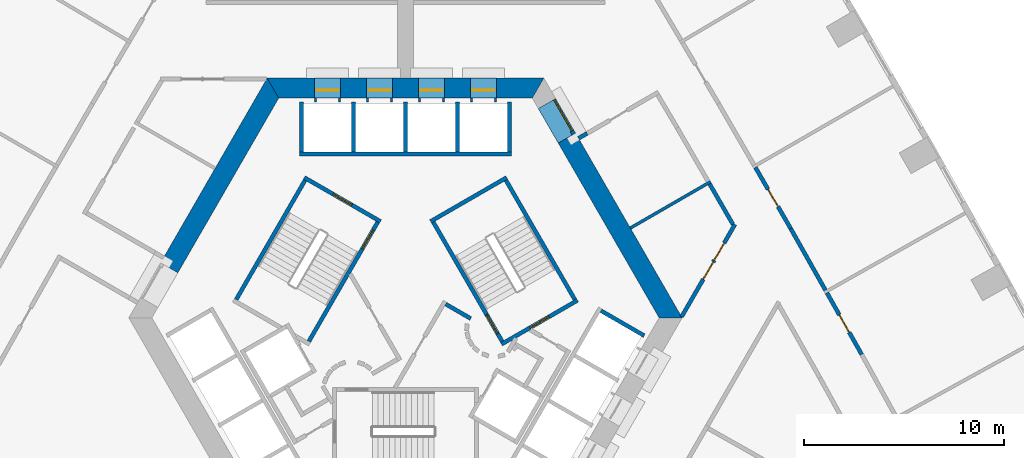
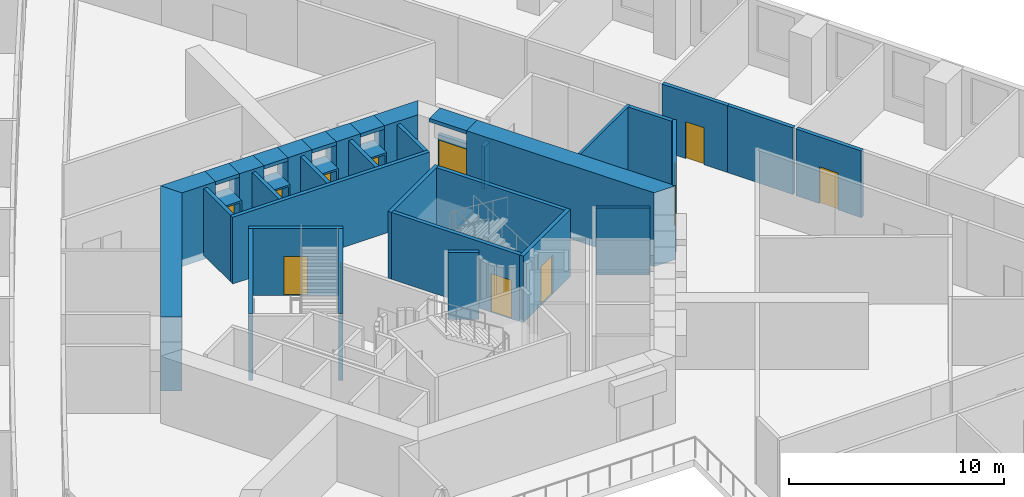
# One storey, part 9 of 15: 39 walls, 13 doors, 13 openings.
"""IFC4 building model written with IfcOpenShell, lengths in metres."""

from ifc_helpers import new_model, si_unit, direction, frame, frame_2d, origin, place, context, subcontext, project, spatial, polyline, rectangle, outline, extrude, material, layer, layer_set, type_object, element, fill, save


model = new_model("IFC4")

# Units and contexts
model_context = context("Model", 3, precision=1e-05, world=origin(), true_north=direction((0.0, 1.0)))
body_context = subcontext(model_context, "Body", "Model", "MODEL_VIEW")
ifc_project = project(units=[si_unit("LENGTHUNIT", "METRE"), si_unit("AREAUNIT", "SQUARE_METRE"), si_unit("VOLUMEUNIT", "CUBIC_METRE"), si_unit("PLANEANGLEUNIT", "RADIAN"), si_unit("MASSUNIT", "GRAM", prefix="KILO")], contexts=[model_context])

# Site, building, storey
site_placement = place(None, origin())
site = spatial("IfcSite", under=ifc_project, at=site_placement, CompositionType="ELEMENT")
building_placement = place(site_placement, origin())
building = spatial("IfcBuilding", under=site, at=building_placement, Name="Entoto Arch Interchange Tower", CompositionType="ELEMENT")
storey_placement = place(building_placement, frame((0.0, 0.0, 39.199951171875)))
storey = spatial("IfcBuildingStorey", under=building, at=storey_placement, Name="L07", CompositionType="ELEMENT", Elevation=39.199951171875)

# Wall, opening, door
ifc_material_1 = material(Name="Reinforced concrete C40/50", Category="concrete")
ifc_layer_1 = layer(ifc_material_1, 0.199951171875)
ifc_layer_set_1 = layer_set([ifc_layer_1], Name="Reinforced concrete C40/50")
wall_type_1 = type_object("IfcWallType", Name="CORE GAP INFILL WALL", PredefinedType="PARTITIONING", material=ifc_layer_set_1)
wall_1_placement = place(storey_placement, frame((8.429931640625, 11.697998046875, 0.0), z_axis=(0.0, 0.0, 1.0), x_axis=(-0.50002537861, 0.866010750942, 0.0)))
wall_1 = element("IfcWall", 1, at=wall_1_placement, inside=storey, type_object=wall_type_1, Name="wall:L07:gap2", PredefinedType="PARTITIONING", context=body_context, shape_type="SweptSolid", body=[
    extrude(rectangle(XDim=2.0, YDim=0.199951171875, at=frame_2d((1.0, 0.0))), origin(), (0.0, 0.0, 1.0), 2.400146484375),
])
opening_1_placement = place(wall_1_placement, frame((0.18994140625, 0.0, 0.0)))
opening_1 = element("IfcOpeningElement", 2, at=opening_1_placement, cuts=wall_1, Name="Opening L07-D92", PredefinedType="OPENING", context=body_context, shape_type="SweptSolid", body=[
    extrude(rectangle(XDim=1.800048828125, YDim=2.10009765625, at=frame_2d((0.89990234375, 1.050048828125))), frame((0.0, 0.10986328125, 0.0), z_axis=(0.0, -1.0, 0.0), x_axis=(1.0, 0.0, 0.0)), (0.0, 0.0, 1.0), 0.219970703125),
])
ifc_material_2 = material(Name="Fire-rated Steel S235 door and frame", Category="steel")
door_type_1 = type_object("IfcDoorType", Name="DOOR FD-18 1800x2100", OperationType="DOUBLE_DOOR_SINGLE_SWING", PredefinedType="DOOR", material=ifc_material_2)
door_1_placement = place(opening_1_placement, origin())
door_1 = element("IfcDoor", 3, at=door_1_placement, inside=storey, type_object=door_type_1, Name="door:L07:gap2", OperationType="DOUBLE_DOOR_SINGLE_SWING", OverallHeight=2.10009765625, OverallWidth=1.800048828125, PredefinedType="DOOR", context=body_context, shape_type="SweptSolid", body=[
    extrude(rectangle(XDim=1.800048828125, YDim=2.10009765625, at=frame_2d((0.89990234375, 1.050048828125))), frame((0.0, 0.02490234375, 0.0), z_axis=(0.0, -1.0, 0.0), x_axis=(1.0, 0.0, 0.0)), (0.0, 0.0, 1.0), 0.050048828125),
])
fill(opening_1, door_1)

# Walls
ifc_material_3 = material(Name="Concrete C60/75", Category="concrete")
ifc_layer_2 = layer(ifc_material_3, 1.0)
ifc_layer_set_2 = layer_set([ifc_layer_2], Name="Concrete C60/75")
wall_type_2 = type_object("IfcWallType", Name="Core wall 1000 C60/75", PredefinedType="SHEAR", material=ifc_layer_set_2)
wall_2_placement = place(storey_placement, frame((0.0, 0.0, -0.39990234375)))
element("IfcWall", 4, at=wall_2_placement, inside=storey, type_object=wall_type_2, Name="Core wall NE L07", PredefinedType="SHEAR", context=body_context, shape_type="SweptSolid", body=[
    extrude(outline(polyline([(8.51708984375, 11.748046875), (7.65087890625, 11.248046875), (12.701904296875, 2.5), (13.85595703125, 2.5), (8.51708984375, 11.748046875)])), origin(), (0.0, 0.0, 1.0), 4.199951171875),
])
wall_3_placement = place(storey_placement, frame((0.0, 0.0, 3.60009765625)))
element("IfcWall", 5, at=wall_3_placement, inside=storey, type_object=wall_type_2, Name="Core wall lintel NE L07", PredefinedType="SHEAR", context=body_context, shape_type="SweptSolid", body=[
    extrude(outline(polyline([(7.51708984375, 13.47998046875), (6.65087890625, 12.97998046875), (7.65087890625, 11.248046875), (8.51708984375, 11.748046875), (7.51708984375, 13.47998046875)])), origin(), (0.0, 0.0, 1.0), 0.199951171875),
])
wall_4_placement = place(storey_placement, frame((0.0, 0.0, -0.39990234375)))
element("IfcWall", 6, at=wall_4_placement, inside=storey, type_object=wall_type_2, Name="Core wall N L07", PredefinedType="SHEAR", context=body_context, shape_type="SweptSolid", body=[
    extrude(outline(polyline([(4.550048828125, 14.5), (4.550048828125, 13.5), (6.35107421875, 13.5), (6.927978515625, 14.5), (4.550048828125, 14.5)])), origin(), (0.0, 0.0, 1.0), 4.199951171875),
])
wall_5_placement = place(storey_placement, frame((0.0, 0.0, -0.39990234375)))
element("IfcWall", 7, at=wall_5_placement, inside=storey, type_object=wall_type_2, Name="Core wall N L07", PredefinedType="SHEAR", context=body_context, shape_type="SweptSolid", body=[
    extrude(outline(polyline([(1.949951171875, 14.5), (1.949951171875, 13.5), (3.25, 13.5), (3.25, 14.5), (1.949951171875, 14.5)])), origin(), (0.0, 0.0, 1.0), 4.199951171875),
])
wall_6_placement = place(storey_placement, frame((0.0, 0.0, -0.39990234375)))
element("IfcWall", 8, at=wall_6_placement, inside=storey, type_object=wall_type_2, Name="Core wall N L07", PredefinedType="SHEAR", context=body_context, shape_type="SweptSolid", body=[
    extrude(outline(polyline([(-0.64990234375, 14.5), (-0.64990234375, 13.5), (0.64990234375, 13.5), (0.64990234375, 14.5), (-0.64990234375, 14.5)])), origin(), (0.0, 0.0, 1.0), 4.199951171875),
])
wall_7_placement = place(storey_placement, frame((0.0, 0.0, -0.39990234375)))
element("IfcWall", 9, at=wall_7_placement, inside=storey, type_object=wall_type_2, Name="Core wall N L07", PredefinedType="SHEAR", context=body_context, shape_type="SweptSolid", body=[
    extrude(outline(polyline([(-3.25, 14.5), (-3.25, 13.5), (-1.949951171875, 13.5), (-1.949951171875, 14.5), (-3.25, 14.5)])), origin(), (0.0, 0.0, 1.0), 4.199951171875),
])
wall_8_placement = place(storey_placement, frame((0.0, 0.0, -0.39990234375)))
element("IfcWall", 10, at=wall_8_placement, inside=storey, type_object=wall_type_2, Name="Core wall N L07", PredefinedType="SHEAR", context=body_context, shape_type="SweptSolid", body=[
    extrude(outline(polyline([(-4.550048828125, 13.5), (-4.550048828125, 14.5), (-6.927978515625, 14.5), (-6.35107421875, 13.5), (-4.550048828125, 13.5)])), origin(), (0.0, 0.0, 1.0), 4.199951171875),
])
wall_9_placement = place(storey_placement, frame((0.0, 0.0, 3.60009765625)))
element("IfcWall", 11, at=wall_9_placement, inside=storey, type_object=wall_type_2, Name="Core wall lintel N L07", PredefinedType="SHEAR", context=body_context, shape_type="SweptSolid", body=[
    extrude(outline(polyline([(3.25, 14.5), (3.25, 13.5), (4.550048828125, 13.5), (4.550048828125, 14.5), (3.25, 14.5)])), origin(), (0.0, 0.0, 1.0), 0.199951171875),
])
wall_10_placement = place(storey_placement, frame((0.0, 0.0, 3.60009765625)))
element("IfcWall", 12, at=wall_10_placement, inside=storey, type_object=wall_type_2, Name="Core wall lintel N L07", PredefinedType="SHEAR", context=body_context, shape_type="SweptSolid", body=[
    extrude(outline(polyline([(0.64990234375, 14.5), (0.64990234375, 13.5), (1.949951171875, 13.5), (1.949951171875, 14.5), (0.64990234375, 14.5)])), origin(), (0.0, 0.0, 1.0), 0.199951171875),
])
wall_11_placement = place(storey_placement, frame((0.0, 0.0, 3.60009765625)))
element("IfcWall", 13, at=wall_11_placement, inside=storey, type_object=wall_type_2, Name="Core wall lintel N L07", PredefinedType="SHEAR", context=body_context, shape_type="SweptSolid", body=[
    extrude(outline(polyline([(-1.949951171875, 14.5), (-1.949951171875, 13.5), (-0.64990234375, 13.5), (-0.64990234375, 14.5), (-1.949951171875, 14.5)])), origin(), (0.0, 0.0, 1.0), 0.199951171875),
])
wall_12_placement = place(storey_placement, frame((0.0, 0.0, 3.60009765625)))
element("IfcWall", 14, at=wall_12_placement, inside=storey, type_object=wall_type_2, Name="Core wall lintel N L07", PredefinedType="SHEAR", context=body_context, shape_type="SweptSolid", body=[
    extrude(outline(polyline([(-4.550048828125, 14.5), (-4.550048828125, 13.5), (-3.25, 13.5), (-3.25, 14.5), (-4.550048828125, 14.5)])), origin(), (0.0, 0.0, 1.0), 0.199951171875),
])
wall_13_placement = place(storey_placement, frame((0.0, 0.0, -0.39990234375)))
element("IfcWall", 15, at=wall_13_placement, inside=storey, type_object=wall_type_2, Name="Core wall NW L07", PredefinedType="SHEAR", context=body_context, shape_type="SweptSolid", body=[
    extrude(outline(polyline([(-12.26708984375, 5.251953125), (-11.402099609375, 4.751953125), (-6.35107421875, 13.5), (-6.927978515625, 14.5), (-12.26708984375, 5.251953125)])), origin(), (0.0, 0.0, 1.0), 4.199951171875),
])

# Wall, opening, door
ifc_material_4 = material(Name="Concrete C40/50", Category="concrete")
ifc_layer_3 = layer(ifc_material_4, 1.199951171875)
ifc_layer_set_3 = layer_set([ifc_layer_3], Name="Concrete C40/50")
wall_type_3 = type_object("IfcWallType", Name="LIFT LANDING INFILL WALL", PredefinedType="STANDARD", material=ifc_layer_set_3)
wall_14_placement = place(storey_placement, frame((4.550048828125, 13.89990234375, 0.0), z_axis=(0.0, 0.0, 1.0), x_axis=(-1.0, 0.0, 0.0)))
wall_14 = element("IfcWall", 16, at=wall_14_placement, inside=storey, type_object=wall_type_3, Name="Lift landing infill wall LR1 L07", PredefinedType="STANDARD", context=body_context, shape_type="SweptSolid", body=[
    extrude(rectangle(XDim=1.300048828125, YDim=1.199951171875, at=frame_2d((0.64990234375, 0.0))), origin(), (0.0, 0.0, 1.0), 2.400146484375),
])
opening_2_placement = place(wall_14_placement, frame((0.10009765625, 0.0, 0.0)))
opening_2 = element("IfcOpeningElement", 17, at=opening_2_placement, cuts=wall_14, Name="Opening LD-LR1-L07", PredefinedType="OPENING", context=body_context, shape_type="SweptSolid", body=[
    extrude(rectangle(XDim=1.10009765625, YDim=2.300048828125, at=frame_2d((0.550048828125, 1.14990234375))), frame((0.0, 0.60986328125, 0.0), z_axis=(0.0, -1.0, 0.0), x_axis=(1.0, 0.0, 0.0)), (0.0, 0.0, 1.0), 1.219970703125),
])
ifc_material_5 = material(Name="Stainless steel 1.4301 panels", Category="steel")
door_type_2 = type_object("IfcDoorType", Name="LIFT LANDING DOOR LD2 1100x2300", OperationType="SLIDING_TO_LEFT", PredefinedType="DOOR", material=ifc_material_5)
door_2_placement = place(opening_2_placement, origin())
door_2 = element("IfcDoor", 18, at=door_2_placement, inside=storey, type_object=door_type_2, Name="Lift landing door LR1 L07", OperationType="SLIDING_TO_LEFT", OverallHeight=2.300048828125, OverallWidth=1.10009765625, PredefinedType="DOOR", context=body_context, shape_type="SweptSolid", body=[
    extrude(rectangle(XDim=1.10009765625, YDim=2.300048828125, at=frame_2d((0.550048828125, 1.14990234375))), frame((0.0, 0.02490234375, 0.0), z_axis=(0.0, -1.0, 0.0), x_axis=(1.0, 0.0, 0.0)), (0.0, 0.0, 1.0), 0.050048828125),
])
fill(opening_2, door_2)

wall_15_placement = place(storey_placement, frame((1.949951171875, 13.89990234375, 0.0), z_axis=(0.0, 0.0, 1.0), x_axis=(-1.0, 0.0, 0.0)))
wall_15 = element("IfcWall", 19, at=wall_15_placement, inside=storey, type_object=wall_type_3, Name="Lift landing infill wall LR2 L07", PredefinedType="STANDARD", context=body_context, shape_type="SweptSolid", body=[
    extrude(rectangle(XDim=1.300048828125, YDim=1.199951171875, at=frame_2d((0.64990234375, 0.0))), origin(), (0.0, 0.0, 1.0), 2.400146484375),
])
opening_3_placement = place(wall_15_placement, frame((0.10009765625, 0.0, 0.0)))
opening_3 = element("IfcOpeningElement", 20, at=opening_3_placement, cuts=wall_15, Name="Opening LD-LR2-L07", PredefinedType="OPENING", context=body_context, shape_type="SweptSolid", body=[
    extrude(rectangle(XDim=1.10009765625, YDim=2.300048828125, at=frame_2d((0.550048828125, 1.14990234375))), frame((0.0, 0.60986328125, 0.0), z_axis=(0.0, -1.0, 0.0), x_axis=(1.0, 0.0, 0.0)), (0.0, 0.0, 1.0), 1.219970703125),
])
door_3_placement = place(opening_3_placement, origin())
door_3 = element("IfcDoor", 21, at=door_3_placement, inside=storey, type_object=door_type_2, Name="Lift landing door LR2 L07", OperationType="SLIDING_TO_LEFT", OverallHeight=2.300048828125, OverallWidth=1.10009765625, PredefinedType="DOOR", context=body_context, shape_type="SweptSolid", body=[
    extrude(rectangle(XDim=1.10009765625, YDim=2.300048828125, at=frame_2d((0.550048828125, 1.14990234375))), frame((0.0, 0.02490234375, 0.0), z_axis=(0.0, -1.0, 0.0), x_axis=(1.0, 0.0, 0.0)), (0.0, 0.0, 1.0), 0.050048828125),
])
fill(opening_3, door_3)

wall_16_placement = place(storey_placement, frame((-0.64990234375, 13.89990234375, 0.0), z_axis=(0.0, 0.0, 1.0), x_axis=(-1.0, 0.0, 0.0)))
wall_16 = element("IfcWall", 22, at=wall_16_placement, inside=storey, type_object=wall_type_3, Name="Lift landing infill wall LR3 L07", PredefinedType="STANDARD", context=body_context, shape_type="SweptSolid", body=[
    extrude(rectangle(XDim=1.300048828125, YDim=1.199951171875, at=frame_2d((0.64990234375, 0.0))), origin(), (0.0, 0.0, 1.0), 2.400146484375),
])
opening_4_placement = place(wall_16_placement, frame((0.10009765625, 0.0, 0.0)))
opening_4 = element("IfcOpeningElement", 23, at=opening_4_placement, cuts=wall_16, Name="Opening LD-LR3-L07", PredefinedType="OPENING", context=body_context, shape_type="SweptSolid", body=[
    extrude(rectangle(XDim=1.10009765625, YDim=2.300048828125, at=frame_2d((0.550048828125, 1.14990234375))), frame((0.0, 0.60986328125, 0.0), z_axis=(0.0, -1.0, 0.0), x_axis=(1.0, 0.0, 0.0)), (0.0, 0.0, 1.0), 1.219970703125),
])
door_4_placement = place(opening_4_placement, origin())
door_4 = element("IfcDoor", 24, at=door_4_placement, inside=storey, type_object=door_type_2, Name="Lift landing door LR3 L07", OperationType="SLIDING_TO_LEFT", OverallHeight=2.300048828125, OverallWidth=1.10009765625, PredefinedType="DOOR", context=body_context, shape_type="SweptSolid", body=[
    extrude(rectangle(XDim=1.10009765625, YDim=2.300048828125, at=frame_2d((0.550048828125, 1.14990234375))), frame((0.0, 0.02490234375, 0.0), z_axis=(0.0, -1.0, 0.0), x_axis=(1.0, 0.0, 0.0)), (0.0, 0.0, 1.0), 0.050048828125),
])
fill(opening_4, door_4)

wall_17_placement = place(storey_placement, frame((-3.25, 13.89990234375, 0.0), z_axis=(0.0, 0.0, 1.0), x_axis=(-1.0, 0.0, 0.0)))
wall_17 = element("IfcWall", 25, at=wall_17_placement, inside=storey, type_object=wall_type_3, Name="Lift landing infill wall LR4 L07", PredefinedType="STANDARD", context=body_context, shape_type="SweptSolid", body=[
    extrude(rectangle(XDim=1.300048828125, YDim=1.199951171875, at=frame_2d((0.64990234375, 0.0))), origin(), (0.0, 0.0, 1.0), 2.400146484375),
])
opening_5_placement = place(wall_17_placement, frame((0.10009765625, 0.0, 0.0)))
opening_5 = element("IfcOpeningElement", 26, at=opening_5_placement, cuts=wall_17, Name="Opening LD-LR4-L07", PredefinedType="OPENING", context=body_context, shape_type="SweptSolid", body=[
    extrude(rectangle(XDim=1.10009765625, YDim=2.300048828125, at=frame_2d((0.550048828125, 1.14990234375))), frame((0.0, 0.60986328125, 0.0), z_axis=(0.0, -1.0, 0.0), x_axis=(1.0, 0.0, 0.0)), (0.0, 0.0, 1.0), 1.219970703125),
])
door_5_placement = place(opening_5_placement, origin())
door_5 = element("IfcDoor", 27, at=door_5_placement, inside=storey, type_object=door_type_2, Name="Lift landing door LR4 L07", OperationType="SLIDING_TO_LEFT", OverallHeight=2.300048828125, OverallWidth=1.10009765625, PredefinedType="DOOR", context=body_context, shape_type="SweptSolid", body=[
    extrude(rectangle(XDim=1.10009765625, YDim=2.300048828125, at=frame_2d((0.550048828125, 1.14990234375))), frame((0.0, 0.02490234375, 0.0), z_axis=(0.0, -1.0, 0.0), x_axis=(1.0, 0.0, 0.0)), (0.0, 0.0, 1.0), 0.050048828125),
])
fill(opening_5, door_5)

# Walls
ifc_layer_4 = layer(ifc_material_4, 0.199951171875)
ifc_layer_set_4 = layer_set([ifc_layer_4], Name="Concrete C40/50")
wall_type_4 = type_object("IfcWallType", Name="LIFT SHAFT WALL 200", PredefinedType="STANDARD", material=ifc_layer_set_4)
wall_18_placement = place(storey_placement, frame((5.300048828125, 10.699951171875, 0.0), z_axis=(0.0, 0.0, 1.0), x_axis=(-1.0, 0.0, 0.0)))
element("IfcWall", 28, at=wall_18_placement, inside=storey, type_object=wall_type_4, Name="Shaft wall N3 front", PredefinedType="STANDARD", context=body_context, shape_type="SweptSolid", body=[
    extrude(rectangle(XDim=10.60009765625, YDim=0.199951171875, at=frame_2d((5.300048828125, 0.0))), origin(), (0.0, 0.0, 1.0), 3.800048828125),
])
for number, where, z_axis, x_axis, name in (
    (29, (5.199951171875, 10.800048828125, 0.0), (0.0, 0.0, 1.0), (0.0, 1.0, 0.0), "Shaft wall N3 cross 1"),
    (30, (2.60009765625, 10.800048828125, 0.0), (0.0, 0.0, 1.0), (0.0, 1.0, 0.0), "Shaft wall N3 cross 2"),
    (31, (0.0, 10.800048828125, 0.0), (0.0, 0.0, 1.0), (0.0, 1.0, 0.0), "Shaft wall N3 cross 3"),
    (32, (-2.60009765625, 10.800048828125, 0.0), (0.0, 0.0, 1.0), (0.0, 1.0, 0.0), "Shaft wall N3 cross 4"),
    (33, (-5.199951171875, 10.800048828125, 0.0), (0.0, 0.0, 1.0), (0.0, 1.0, 0.0), "Shaft wall N3 cross 5"),
):
    element("IfcWall", number, at=place(storey_placement, frame(where, z_axis=z_axis, x_axis=x_axis)), inside=storey, type_object=wall_type_4, Name=name, PredefinedType="STANDARD", context=body_context, shape_type="SweptSolid", body=[
        extrude(rectangle(XDim=2.5, YDim=0.199951171875, at=frame_2d((1.25, 0.0))), origin(), (0.0, 0.0, 1.0), 3.800048828125),
    ])
wall_19_placement = place(storey_placement, frame((9.7880859375, 2.85302734375, 0.0), z_axis=(0.0, 0.0, 1.0), x_axis=(0.865998541277, -0.500046524342, 0.0)))
element("IfcWall", 34, at=wall_19_placement, inside=storey, type_object=wall_type_4, Name="Shaft wall SE3 cross 5", PredefinedType="STANDARD", context=body_context, shape_type="SweptSolid", body=[
    extrude(rectangle(XDim=2.499755859375, YDim=0.199951171875, at=frame_2d((1.25, 0.0))), origin(), (0.0, 0.0, 1.0), 3.800048828125),
])
ifc_material_6 = material(Name="Gypsum board partition on steel studs", Category="steel")
ifc_layer_5 = layer(ifc_material_6, 0.14990234375)
ifc_layer_set_5 = layer_set([ifc_layer_5], Name="Gypsum board partition on steel studs")
wall_type_5 = type_object("IfcWallType", Name="PARTITION 150", PredefinedType="PARTITIONING", material=ifc_layer_set_5)
wall_20_placement = place(storey_placement, frame((15.281005859375, 9.31494140625, 0.0), z_axis=(0.0, 0.0, 1.0), x_axis=(-0.86601742213, -0.500013824377, 0.0)))
element("IfcWall", 35, at=wall_20_placement, inside=storey, type_object=wall_type_5, Name="wall:L07:p086", PredefinedType="PARTITIONING", context=body_context, shape_type="SweptSolid", body=[
    extrude(rectangle(XDim=4.641845703125, YDim=0.14990234375, at=frame_2d((2.32080078125, 0.0))), origin(), (0.0, 0.0, 1.0), 3.800048828125),
])
ifc_layer_6 = layer(ifc_material_6, 0.199951171875)
ifc_layer_set_6 = layer_set([ifc_layer_6], Name="Gypsum board partition on steel studs")
wall_type_6 = type_object("IfcWallType", Name="PARTITION 200", PredefinedType="PARTITIONING", material=ifc_layer_set_6)
wall_21_placement = place(storey_placement, frame((16.39892578125, 7.177978515625, 0.0), z_axis=(0.0, 0.0, 1.0), x_axis=(-0.499873332494, 0.866098522953, 0.0)))
element("IfcWall", 36, at=wall_21_placement, inside=storey, type_object=wall_type_6, Name="wall:L07:p007", PredefinedType="PARTITIONING", context=body_context, shape_type="SweptSolid", body=[
    extrude(rectangle(XDim=2.33447265625, YDim=0.199951171875, at=frame_2d((1.167236328125, 0.0))), origin(), (0.0, 0.0, 1.0), 3.800048828125),
])

# Wall, opening, door
wall_22_placement = place(storey_placement, frame((21.10693359375, 3.7490234375, 0.0), z_axis=(0.0, 0.0, 1.0), x_axis=(0.491268894998, -0.871007963687, 0.0)))
wall_22 = element("IfcWall", 37, at=wall_22_placement, inside=storey, type_object=wall_type_6, Name="wall:L07:p043", PredefinedType="PARTITIONING", context=body_context, shape_type="SweptSolid", body=[
    extrude(rectangle(XDim=3.541748046875, YDim=0.199951171875, at=frame_2d((1.77099609375, 0.0))), origin(), (0.0, 0.0, 1.0), 3.800048828125),
])
opening_6_placement = place(wall_22_placement, frame((1.27099609375, 0.0, 0.0)))
opening_6 = element("IfcOpeningElement", 38, at=opening_6_placement, cuts=wall_22, Name="Opening L07-D05", PredefinedType="OPENING", context=body_context, shape_type="SweptSolid", body=[
    extrude(rectangle(XDim=1.0, YDim=2.10009765625, at=frame_2d((0.5, 1.050048828125))), frame((0.0, 0.10986328125, 0.0), z_axis=(0.0, -1.0, 0.0), x_axis=(1.0, 0.0, 0.0)), (0.0, 0.0, 1.0), 0.219970703125),
])
ifc_material_7 = material(Name="Timber door leaf in Steel S235 frame", Category="steel")
door_type_3 = type_object("IfcDoorType", Name="DOOR DS-10 1000x2100", OperationType="SINGLE_SWING_LEFT", PredefinedType="DOOR", material=ifc_material_7)
door_6_placement = place(opening_6_placement, origin())
door_6 = element("IfcDoor", 39, at=door_6_placement, inside=storey, type_object=door_type_3, Name="door:L07:05", OperationType="SINGLE_SWING_LEFT", OverallHeight=2.10009765625, OverallWidth=1.0, PredefinedType="DOOR", context=body_context, shape_type="SweptSolid", body=[
    extrude(rectangle(XDim=1.0, YDim=2.10009765625, at=frame_2d((0.5, 1.050048828125))), frame((0.0, 0.02490234375, 0.0), z_axis=(0.0, -1.0, 0.0), x_axis=(1.0, 0.0, 0.0)), (0.0, 0.0, 1.0), 0.050048828125),
])
fill(opening_6, door_6)

wall_23_placement = place(storey_placement, frame((17.52392578125, 10.031005859375, 0.0), z_axis=(0.0, 0.0, 1.0), x_axis=(0.499861717316, -0.86610522661, 0.0)))
wall_23 = element("IfcWall", 40, at=wall_23_placement, inside=storey, type_object=wall_type_6, Name="wall:L07:p045", PredefinedType="PARTITIONING", context=body_context, shape_type="SweptSolid", body=[
    extrude(rectangle(XDim=3.541015625, YDim=0.199951171875, at=frame_2d((1.7705078125, 0.0))), origin(), (0.0, 0.0, 1.0), 3.800048828125),
])
opening_7_placement = place(wall_23_placement, frame((1.27001953125, 0.0, 0.0)))
opening_7 = element("IfcOpeningElement", 41, at=opening_7_placement, cuts=wall_23, Name="Opening L07-D06", PredefinedType="OPENING", context=body_context, shape_type="SweptSolid", body=[
    extrude(rectangle(XDim=1.0, YDim=2.10009765625, at=frame_2d((0.5, 1.050048828125))), frame((0.0, 0.10986328125, 0.0), z_axis=(0.0, -1.0, 0.0), x_axis=(1.0, 0.0, 0.0)), (0.0, 0.0, 1.0), 0.219970703125),
])
door_7_placement = place(opening_7_placement, origin())
door_7 = element("IfcDoor", 42, at=door_7_placement, inside=storey, type_object=door_type_3, Name="door:L07:06", OperationType="SINGLE_SWING_LEFT", OverallHeight=2.10009765625, OverallWidth=1.0, PredefinedType="DOOR", context=body_context, shape_type="SweptSolid", body=[
    extrude(rectangle(XDim=1.0, YDim=2.10009765625, at=frame_2d((0.5, 1.050048828125))), frame((0.0, 0.02490234375, 0.0), z_axis=(0.0, -1.0, 0.0), x_axis=(1.0, 0.0, 0.0)), (0.0, 0.0, 1.0), 0.050048828125),
])
fill(opening_7, door_7)

# Wall
wall_24_placement = place(storey_placement, frame((19.2939453125, 6.964111328125, 0.0), z_axis=(0.0, 0.0, 1.0), x_axis=(0.491148159943, -0.871076050058, 0.0)))
element("IfcWall", 43, at=wall_24_placement, inside=storey, type_object=wall_type_6, Name="wall:L07:p046", PredefinedType="PARTITIONING", context=body_context, shape_type="SweptSolid", body=[
    extrude(rectangle(XDim=3.540771484375, YDim=0.199951171875, at=frame_2d((1.7705078125, 0.0))), origin(), (0.0, 0.0, 1.0), 3.800048828125),
])

# Wall, openings, doors
wall_25_placement = place(storey_placement, frame((13.826904296875, 2.550048828125, 0.0), z_axis=(0.0, 0.0, 1.0), x_axis=(0.50002563942, 0.866010600352, 0.0)))
wall_25 = element("IfcWall", 44, at=wall_25_placement, inside=storey, type_object=wall_type_6, Name="wall:L07:p087", PredefinedType="PARTITIONING", context=body_context, shape_type="SweptSolid", body=[
    extrude(rectangle(XDim=5.343994140625, YDim=0.199951171875, at=frame_2d((2.671875, 0.0))), origin(), (0.0, 0.0, 1.0), 3.800048828125),
])
opening_8_placement = place(wall_25_placement, frame((2.172119140625, 0.0, 0.0)))
opening_8 = element("IfcOpeningElement", 45, at=opening_8_placement, cuts=wall_25, Name="Opening L07-D37", PredefinedType="OPENING", context=body_context, shape_type="SweptSolid", body=[
    extrude(rectangle(XDim=1.0, YDim=2.10009765625, at=frame_2d((0.5, 1.050048828125))), frame((0.0, 0.10986328125, 0.0), z_axis=(0.0, -1.0, 0.0), x_axis=(1.0, 0.0, 0.0)), (0.0, 0.0, 1.0), 0.219970703125),
])
opening_9_placement = place(wall_25_placement, frame((3.27197265625, 0.0, 0.0)))
opening_9 = element("IfcOpeningElement", 46, at=opening_9_placement, cuts=wall_25, Name="Opening L07-D44", PredefinedType="OPENING", context=body_context, shape_type="SweptSolid", body=[
    extrude(rectangle(XDim=1.0, YDim=2.10009765625, at=frame_2d((0.5, 1.050048828125))), frame((0.0, 0.10986328125, 0.0), z_axis=(0.0, -1.0, 0.0), x_axis=(1.0, 0.0, 0.0)), (0.0, 0.0, 1.0), 0.219970703125),
])
door_8_placement = place(opening_8_placement, origin())
door_8 = element("IfcDoor", 47, at=door_8_placement, inside=storey, type_object=door_type_3, Name="door:L07:37", OperationType="SINGLE_SWING_LEFT", OverallHeight=2.10009765625, OverallWidth=1.0, PredefinedType="DOOR", context=body_context, shape_type="SweptSolid", body=[
    extrude(rectangle(XDim=1.0, YDim=2.10009765625, at=frame_2d((0.5, 1.050048828125))), frame((0.0, 0.02490234375, 0.0), z_axis=(0.0, -1.0, 0.0), x_axis=(1.0, 0.0, 0.0)), (0.0, 0.0, 1.0), 0.050048828125),
])
fill(opening_8, door_8)
door_9_placement = place(opening_9_placement, origin())
door_9 = element("IfcDoor", 48, at=door_9_placement, inside=storey, type_object=door_type_3, Name="door:L07:44", OperationType="SINGLE_SWING_RIGHT", OverallHeight=2.10009765625, OverallWidth=1.0, PredefinedType="DOOR", context=body_context, shape_type="SweptSolid", body=[
    extrude(rectangle(XDim=1.0, YDim=2.10009765625, at=frame_2d((0.5, 1.050048828125))), frame((0.0, 0.02490234375, 0.0), z_axis=(0.0, -1.0, 0.0), x_axis=(1.0, 0.0, 0.0)), (0.0, 0.0, 1.0), 0.050048828125),
])
fill(opening_9, door_9)

# Walls
wall_26_placement = place(storey_placement, frame((2.011962890625, 3.18603515625, 0.0), z_axis=(0.0, 0.0, 1.0), x_axis=(0.865891012941, -0.500232699559, 0.0)))
element("IfcWall", 49, at=wall_26_placement, inside=storey, type_object=wall_type_6, Name="wall:L07:p089", PredefinedType="PARTITIONING", context=body_context, shape_type="SweptSolid", body=[
    extrude(rectangle(XDim=1.449462890625, YDim=0.199951171875, at=frame_2d((0.724609375, 0.0))), origin(), (0.0, 0.0, 1.0), 3.800048828125),
])
wall_27_placement = place(storey_placement, frame((9.10009765625, 11.738037109375, 0.0), z_axis=(0.0, 0.0, 1.0), x_axis=(-0.866071776036, -0.499919672301, 0.0)))
element("IfcWall", 50, at=wall_27_placement, inside=storey, type_object=wall_type_6, Name="wall:L07:p006", PredefinedType="PARTITIONING", context=body_context, shape_type="SweptSolid", body=[
    extrude(rectangle(XDim=0.5, YDim=0.199951171875, at=frame_2d((0.25, 0.0))), origin(), (0.0, 0.0, 1.0), 2.400146484375),
])

# Wall, opening, door
ifc_layer_7 = layer(ifc_material_4, 0.199951171875)
ifc_layer_set_7 = layer_set([ifc_layer_7], Name="Concrete C40/50")
wall_type_7 = type_object("IfcWallType", Name="STAIR ENCLOSURE WALL 200", PredefinedType="STANDARD", material=ifc_layer_set_7)
wall_28_placement = place(storey_placement, frame((4.805908203125, 1.176025390625, 0.0), z_axis=(0.0, 0.0, 1.0), x_axis=(0.866059941101, 0.499940174841, 0.0)))
wall_28 = element("IfcWall", 51, at=wall_28_placement, inside=storey, type_object=wall_type_7, Name="Stair wall ST-NE near", PredefinedType="STANDARD", context=body_context, shape_type="SweptSolid", body=[
    extrude(rectangle(XDim=4.400390625, YDim=0.199951171875, at=frame_2d((2.2001953125, 0.0))), origin(), (0.0, 0.0, 1.0), 3.800048828125),
])
opening_10_placement = place(wall_28_placement, frame((1.64990234375, 0.0, 0.0)))
opening_10 = element("IfcOpeningElement", 52, at=opening_10_placement, cuts=wall_28, Name="Opening SD-ST-NE-L07-E", PredefinedType="OPENING", context=body_context, shape_type="SweptSolid", body=[
    extrude(rectangle(XDim=1.10009765625, YDim=2.199951171875, at=frame_2d((0.550048828125, 1.10009765625))), frame((0.0, 0.10986328125, 0.0), z_axis=(0.0, -1.0, 0.0), x_axis=(1.0, 0.0, 0.0)), (0.0, 0.0, 1.0), 0.219970703125),
])
ifc_material_8 = material(Name="Steel S235", Category="steel")
door_type_4 = type_object("IfcDoorType", Name="STAIR DOOR SD1 1100x2200", OperationType="SINGLE_SWING_LEFT", PredefinedType="DOOR", material=ifc_material_8)
door_10_placement = place(opening_10_placement, origin())
door_10 = element("IfcDoor", 53, at=door_10_placement, inside=storey, type_object=door_type_4, Name="Stair door ST-NE L07 end", OperationType="SINGLE_SWING_LEFT", OverallHeight=2.199951171875, OverallWidth=1.10009765625, PredefinedType="DOOR", context=body_context, shape_type="SweptSolid", body=[
    extrude(rectangle(XDim=1.10009765625, YDim=2.199951171875, at=frame_2d((0.550048828125, 1.10009765625))), frame((0.0, 0.02490234375, 0.0), z_axis=(0.0, -1.0, 0.0), x_axis=(1.0, 0.0, 0.0)), (0.0, 0.0, 1.0), 0.050048828125),
])
fill(opening_10, door_10)

# Wall
wall_29_placement = place(storey_placement, frame((1.256103515625, 7.323974609375, 0.0), z_axis=(0.0, 0.0, 1.0), x_axis=(0.866046073146, 0.499964197906, 0.0)))
element("IfcWall", 54, at=wall_29_placement, inside=storey, type_object=wall_type_7, Name="Stair wall ST-NE far", PredefinedType="STANDARD", context=body_context, shape_type="SweptSolid", body=[
    extrude(rectangle(XDim=4.400146484375, YDim=0.199951171875, at=frame_2d((2.2001953125, 0.0))), origin(), (0.0, 0.0, 1.0), 3.800048828125),
])

# Wall, opening, door
wall_30_placement = place(storey_placement, frame((4.843017578125, 1.31201171875, 0.0), z_axis=(0.0, 0.0, 1.0), x_axis=(-0.499963383562, 0.866046543262, 0.0)))
wall_30 = element("IfcWall", 55, at=wall_30_placement, inside=storey, type_object=wall_type_7, Name="Stair wall ST-NE hall", PredefinedType="STANDARD", context=body_context, shape_type="SweptSolid", body=[
    extrude(rectangle(XDim=6.900390625, YDim=0.199951171875, at=frame_2d((3.4501953125, 0.0))), origin(), (0.0, 0.0, 1.0), 3.800048828125),
])
opening_11_placement = place(wall_30_placement, frame((0.449951171875, 0.0, 0.0)))
opening_11 = element("IfcOpeningElement", 56, at=opening_11_placement, cuts=wall_30, Name="Opening SD-ST-NE-L07", PredefinedType="OPENING", context=body_context, shape_type="SweptSolid", body=[
    extrude(rectangle(XDim=1.10009765625, YDim=2.199951171875, at=frame_2d((0.550048828125, 1.10009765625))), frame((0.0, 0.10986328125, 0.0), z_axis=(0.0, -1.0, 0.0), x_axis=(1.0, 0.0, 0.0)), (0.0, 0.0, 1.0), 0.219970703125),
])
door_11_placement = place(opening_11_placement, origin())
door_11 = element("IfcDoor", 57, at=door_11_placement, inside=storey, type_object=door_type_4, Name="Stair door ST-NE L07", OperationType="SINGLE_SWING_LEFT", OverallHeight=2.199951171875, OverallWidth=1.10009765625, PredefinedType="DOOR", context=body_context, shape_type="SweptSolid", body=[
    extrude(rectangle(XDim=1.10009765625, YDim=2.199951171875, at=frame_2d((0.550048828125, 1.10009765625))), frame((0.0, 0.02490234375, 0.0), z_axis=(0.0, -1.0, 0.0), x_axis=(1.0, 0.0, 0.0)), (0.0, 0.0, 1.0), 0.050048828125),
])
fill(opening_11, door_11)

# Wall
wall_31_placement = place(storey_placement, frame((8.47998046875, 3.412109375, 0.0), z_axis=(0.0, 0.0, 1.0), x_axis=(-0.499978703459, 0.866037698999, 0.0)))
element("IfcWall", 58, at=wall_31_placement, inside=storey, type_object=wall_type_7, Name="Stair wall ST-NE back", PredefinedType="STANDARD", context=body_context, shape_type="SweptSolid", body=[
    extrude(rectangle(XDim=6.900146484375, YDim=0.199951171875, at=frame_2d((3.4501953125, 0.0))), origin(), (0.0, 0.0, 1.0), 3.800048828125),
])

# Wall, opening, door
wall_32_placement = place(storey_placement, frame((-1.256103515625, 7.323974609375, 0.0), z_axis=(0.0, 0.0, 1.0), x_axis=(-0.866046073146, 0.499964197906, 0.0)))
wall_32 = element("IfcWall", 59, at=wall_32_placement, inside=storey, type_object=wall_type_7, Name="Stair wall ST-NW near", PredefinedType="STANDARD", context=body_context, shape_type="SweptSolid", body=[
    extrude(rectangle(XDim=4.400146484375, YDim=0.199951171875, at=frame_2d((2.2001953125, 0.0))), origin(), (0.0, 0.0, 1.0), 3.800048828125),
])
opening_12_placement = place(wall_32_placement, frame((1.64990234375, 0.0, 0.0)))
opening_12 = element("IfcOpeningElement", 60, at=opening_12_placement, cuts=wall_32, Name="Opening SD-ST-NW-L07-E", PredefinedType="OPENING", context=body_context, shape_type="SweptSolid", body=[
    extrude(rectangle(XDim=1.10009765625, YDim=2.199951171875, at=frame_2d((0.550048828125, 1.10009765625))), frame((0.0, 0.10986328125, 0.0), z_axis=(0.0, -1.0, 0.0), x_axis=(1.0, 0.0, 0.0)), (0.0, 0.0, 1.0), 0.219970703125),
])
door_12_placement = place(opening_12_placement, origin())
door_12 = element("IfcDoor", 61, at=door_12_placement, inside=storey, type_object=door_type_4, Name="Stair door ST-NW L07 end", OperationType="SINGLE_SWING_LEFT", OverallHeight=2.199951171875, OverallWidth=1.10009765625, PredefinedType="DOOR", context=body_context, shape_type="SweptSolid", body=[
    extrude(rectangle(XDim=1.10009765625, YDim=2.199951171875, at=frame_2d((0.550048828125, 1.10009765625))), frame((0.0, 0.02490234375, 0.0), z_axis=(0.0, -1.0, 0.0), x_axis=(1.0, 0.0, 0.0)), (0.0, 0.0, 1.0), 0.050048828125),
])
fill(opening_12, door_12)

wall_33_placement = place(storey_placement, frame((-1.39306640625, 7.2880859375, 0.0), z_axis=(0.0, 0.0, 1.0), x_axis=(-0.499963383562, -0.866046543262, 0.0)))
wall_33 = element("IfcWall", 62, at=wall_33_placement, inside=storey, type_object=wall_type_7, Name="Stair wall ST-NW hall", PredefinedType="STANDARD", context=body_context, shape_type="SweptSolid", body=[
    extrude(rectangle(XDim=6.900390625, YDim=0.199951171875, at=frame_2d((3.4501953125, 0.0))), origin(), (0.0, 0.0, 1.0), 3.800048828125),
])
opening_13_placement = place(wall_33_placement, frame((0.449951171875, 0.0, 0.0)))
opening_13 = element("IfcOpeningElement", 63, at=opening_13_placement, cuts=wall_33, Name="Opening SD-ST-NW-L07", PredefinedType="OPENING", context=body_context, shape_type="SweptSolid", body=[
    extrude(rectangle(XDim=1.10009765625, YDim=2.199951171875, at=frame_2d((0.550048828125, 1.10009765625))), frame((0.0, 0.10986328125, 0.0), z_axis=(0.0, -1.0, 0.0), x_axis=(1.0, 0.0, 0.0)), (0.0, 0.0, 1.0), 0.219970703125),
])
door_13_placement = place(opening_13_placement, origin())
door_13 = element("IfcDoor", 64, at=door_13_placement, inside=storey, type_object=door_type_4, Name="Stair door ST-NW L07", OperationType="SINGLE_SWING_LEFT", OverallHeight=2.199951171875, OverallWidth=1.10009765625, PredefinedType="DOOR", context=body_context, shape_type="SweptSolid", body=[
    extrude(rectangle(XDim=1.10009765625, YDim=2.199951171875, at=frame_2d((0.550048828125, 1.10009765625))), frame((0.0, 0.02490234375, 0.0), z_axis=(0.0, -1.0, 0.0), x_axis=(1.0, 0.0, 0.0)), (0.0, 0.0, 1.0), 0.050048828125),
])
fill(opening_13, door_13)

# Wall
wall_34_placement = place(storey_placement, frame((-5.030029296875, 9.387939453125, 0.0), z_axis=(0.0, 0.0, 1.0), x_axis=(-0.499978703459, -0.866037698999, 0.0)))
element("IfcWall", 65, at=wall_34_placement, inside=storey, type_object=wall_type_7, Name="Stair wall ST-NW back", PredefinedType="STANDARD", context=body_context, shape_type="SweptSolid", body=[
    extrude(rectangle(XDim=6.900146484375, YDim=0.199951171875, at=frame_2d((3.4501953125, 0.0))), origin(), (0.0, 0.0, 1.0), 3.800048828125),
])

save(model, "model.ifc")
